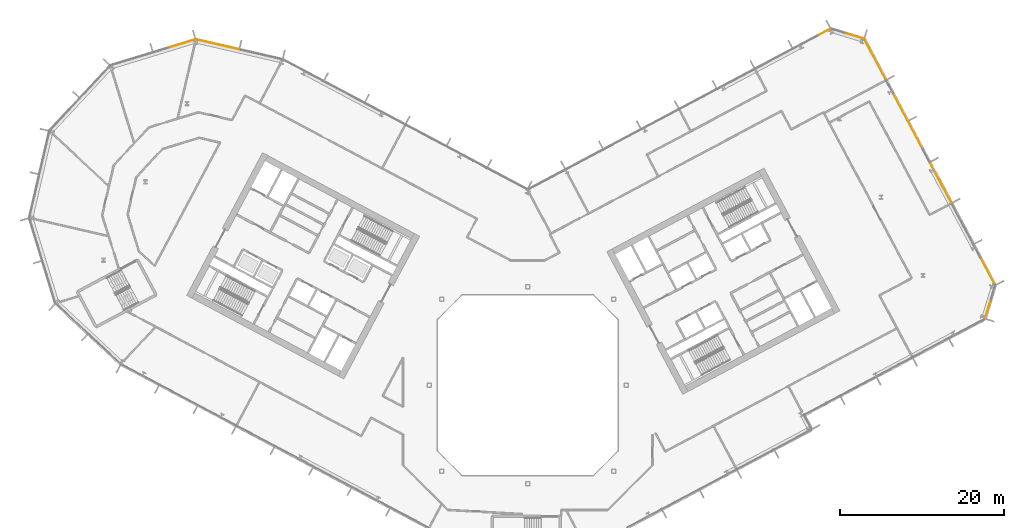
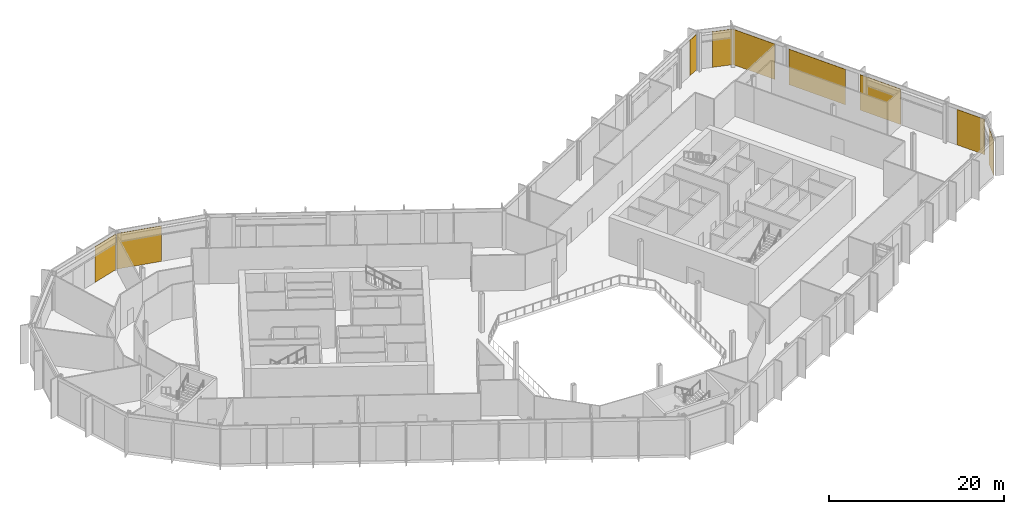
# One storey, part 30 of 31: 9 coverings, 6 elements without a shape of their own.
"""IFC4 building model written with IfcOpenShell, lengths in metres."""

from ifc_helpers import new_model, si_unit, direction, frame, origin, origin_2d, place, context, subcontext, project, spatial, rectangle, extrude, material, layer, layer_set, type_object, element, aggregate, save


model = new_model("IFC4")

# Units and contexts
model_context = context("Model", 3, precision=1e-05, world=origin(), true_north=direction((0.0, 1.0)))
body_context = subcontext(model_context, "Body", "Model", "MODEL_VIEW")
ifc_project = project(units=[si_unit("LENGTHUNIT", "METRE"), si_unit("AREAUNIT", "SQUARE_METRE"), si_unit("VOLUMEUNIT", "CUBIC_METRE"), si_unit("PLANEANGLEUNIT", "RADIAN"), si_unit("MASSUNIT", "GRAM", prefix="KILO")], contexts=[model_context])

# Site, building, storey
site_placement = place(None, origin())
site = spatial("IfcSite", under=ifc_project, at=site_placement, CompositionType="ELEMENT")
building_placement = place(site_placement, origin())
building = spatial("IfcBuilding", under=site, at=building_placement, Name="Cormorant Relay Tower", CompositionType="ELEMENT")
storey_placement = place(building_placement, frame((0.0, 0.0, 178.199951171875)))
storey = spatial("IfcBuildingStorey", under=building, at=storey_placement, Name="L38", CompositionType="ELEMENT", Elevation=178.199951171875)

# Curtain wall, covering
ifc_material_1 = material(Name="Aluminium 6063-T6 anodised bronze", Category="aluminium")
ifc_layer_1 = layer(ifc_material_1, 0.199951171875)
ifc_layer_set_1 = layer_set([ifc_layer_1], Name="CW1 unitised bronze curtain wall with vertical fins")
curtain_wall_type = type_object("IfcCurtainWallType", Name="CW1 unitised bronze curtain wall with vertical fins", PredefinedType="NOTDEFINED", material=ifc_layer_set_1)
curtain_wall_1_placement = place(storey_placement, origin())
curtain_wall_1 = element("IfcCurtainWall", 1, at=curtain_wall_1_placement, inside=storey, type_object=curtain_wall_type, Name="CW1 curtain wall 5", PredefinedType="NOTDEFINED")
ifc_material_2 = material(Name="Pale bronze anodised aluminium insulated panel", Category="aluminium")
ifc_layer_2 = layer(ifc_material_2, 0.0400390625)
ifc_layer_set_2 = layer_set([ifc_layer_2], Name="CW1 pale bronze insulated panel 40")
covering_type = type_object("IfcCoveringType", Name="CW1 pale bronze insulated panel 40", PredefinedType="CLADDING", material=ifc_layer_set_2)
covering_1_placement = place(storey_placement, frame((56.103515625, 9.303955078125, 0.0), z_axis=(0.0, 0.0, 1.0), x_axis=(0.292371704723, 0.956304755963, 0.0)))
covering_1 = element("IfcCovering", 2, at=covering_1_placement, type_object=covering_type, Name="CW1 panel S00", PredefinedType="CLADDING", context=body_context, shape_type="SweptSolid", body=[
    extrude(rectangle(XDim=2.36767578125, YDim=0.0400390625, at=origin_2d()), origin(), (0.0, 0.0, 1.0), 4.949951171875),
])
aggregate(curtain_wall_1, [covering_1])

# Curtain wall, coverings
curtain_wall_2_placement = place(storey_placement, origin())
curtain_wall_2 = element("IfcCurtainWall", 3, at=curtain_wall_2_placement, inside=storey, type_object=curtain_wall_type, Name="CW1 curtain wall 6", PredefinedType="NOTDEFINED")
covering_2_placement = place(storey_placement, frame((56.066650390625, 13.879638671875, 0.0), z_axis=(0.0, 0.0, 1.0), x_axis=(-0.469471562786, 0.882947592859, 0.0)))
covering_2 = element("IfcCovering", 4, at=covering_2_placement, type_object=covering_type, Name="CW1 panel S00", PredefinedType="CLADDING", context=body_context, shape_type="SweptSolid", body=[
    extrude(rectangle(XDim=3.716796875, YDim=0.0400390625, at=origin_2d()), origin(), (0.0, 0.0, 1.0), 4.949951171875),
])
covering_3_placement = place(storey_placement, frame((50.323486328125, 24.68115234375, 0.0), z_axis=(0.0, 0.0, 1.0), x_axis=(-0.469471562786, 0.882947592859, 0.0)))
covering_3 = element("IfcCovering", 5, at=covering_3_placement, type_object=covering_type, Name="CW1 panel S03", PredefinedType="CLADDING", context=body_context, shape_type="SweptSolid", body=[
    extrude(rectangle(XDim=5.5166015625, YDim=0.0400390625, at=origin_2d()), origin(), (0.0, 0.0, 1.0), 4.949951171875),
])
covering_4_placement = place(storey_placement, frame((46.3330078125, 32.18603515625, 0.0), z_axis=(0.0, 0.0, 1.0), x_axis=(-0.469471562786, 0.882947592859, 0.0)))
covering_4 = element("IfcCovering", 6, at=covering_4_placement, type_object=covering_type, Name="CW1 panel S05", PredefinedType="CLADDING", context=body_context, shape_type="SweptSolid", body=[
    extrude(rectangle(XDim=7.583251953125, YDim=0.0400390625, at=origin_2d()), origin(), (0.0, 0.0, 1.0), 4.949951171875),
])
covering_5_placement = place(storey_placement, frame((42.32470703125, 39.724365234375, 0.0), z_axis=(0.0, 0.0, 1.0), x_axis=(-0.469471562786, 0.882947592859, 0.0)))
covering_5 = element("IfcCovering", 7, at=covering_5_placement, type_object=covering_type, Name="CW1 panel S07", PredefinedType="CLADDING", context=body_context, shape_type="SweptSolid", body=[
    extrude(rectangle(XDim=5.591796875, YDim=0.0400390625, at=origin_2d()), origin(), (0.0, 0.0, 1.0), 4.949951171875),
])
aggregate(curtain_wall_2, [covering_2, covering_3, covering_4, covering_5])

# Curtain wall, covering
curtain_wall_3_placement = place(storey_placement, origin())
curtain_wall_3 = element("IfcCurtainWall", 8, at=curtain_wall_3_placement, inside=storey, type_object=curtain_wall_type, Name="CW1 curtain wall 7", PredefinedType="NOTDEFINED")
covering_6_placement = place(storey_placement, frame((39.796630859375, 42.570556640625, 0.0), z_axis=(0.0, 0.0, 1.0), x_axis=(-0.956304755963, 0.292371704723, 0.0)))
covering_6 = element("IfcCovering", 9, at=covering_6_placement, type_object=covering_type, Name="CW1 panel S00", PredefinedType="CLADDING", context=body_context, shape_type="SweptSolid", body=[
    extrude(rectangle(XDim=2.36767578125, YDim=0.0400390625, at=origin_2d()), origin(), (0.0, 0.0, 1.0), 4.949951171875),
])
aggregate(curtain_wall_3, [covering_6])

curtain_wall_4_placement = place(storey_placement, origin())
curtain_wall_4 = element("IfcCurtainWall", 10, at=curtain_wall_4_placement, inside=storey, type_object=curtain_wall_type, Name="CW1 curtain wall 8", PredefinedType="NOTDEFINED")
covering_7_placement = place(storey_placement, frame((36.208740234375, 43.05908203125, 0.0), z_axis=(0.0, 0.0, 1.0), x_axis=(-0.882947592859, -0.469471562786, 0.0)))
covering_7 = element("IfcCovering", 11, at=covering_7_placement, type_object=covering_type, Name="CW1 panel S00", PredefinedType="CLADDING", context=body_context, shape_type="SweptSolid", body=[
    extrude(rectangle(XDim=1.479248046875, YDim=0.0400390625, at=origin_2d()), origin(), (0.0, 0.0, 1.0), 4.949951171875),
])
aggregate(curtain_wall_4, [covering_7])

curtain_wall_5_placement = place(storey_placement, origin())
curtain_wall_5 = element("IfcCurtainWall", 12, at=curtain_wall_5_placement, inside=storey, type_object=curtain_wall_type, Name="CW1 curtain wall 10", PredefinedType="NOTDEFINED")
covering_8_placement = place(storey_placement, frame((-37.849609375, 41.530029296875, 0.0), z_axis=(0.0, 0.0, 1.0), x_axis=(-0.974370064785, 0.224951054344, 0.0)))
covering_8 = element("IfcCovering", 13, at=covering_8_placement, type_object=covering_type, Name="CW1 panel S01", PredefinedType="CLADDING", context=body_context, shape_type="SweptSolid", body=[
    extrude(rectangle(XDim=5.360107421875, YDim=0.0400390625, at=origin_2d()), origin(), (0.0, 0.0, 1.0), 4.949951171875),
])
aggregate(curtain_wall_5, [covering_8])

curtain_wall_6_placement = place(storey_placement, origin())
curtain_wall_6 = element("IfcCurtainWall", 14, at=curtain_wall_6_placement, inside=storey, type_object=curtain_wall_type, Name="CW1 curtain wall 11", PredefinedType="NOTDEFINED")
covering_9_placement = place(storey_placement, frame((-42.209716796875, 41.60107421875, 0.0), z_axis=(0.0, 0.0, 1.0), x_axis=(-0.956304755963, -0.292371704723, 0.0)))
covering_9 = element("IfcCovering", 15, at=covering_9_placement, type_object=covering_type, Name="CW1 panel S00", PredefinedType="CLADDING", context=body_context, shape_type="SweptSolid", body=[
    extrude(rectangle(XDim=3.485107421875, YDim=0.0400390625, at=origin_2d()), origin(), (0.0, 0.0, 1.0), 4.949951171875),
])
aggregate(curtain_wall_6, [covering_9])

save(model, "model.ifc")
